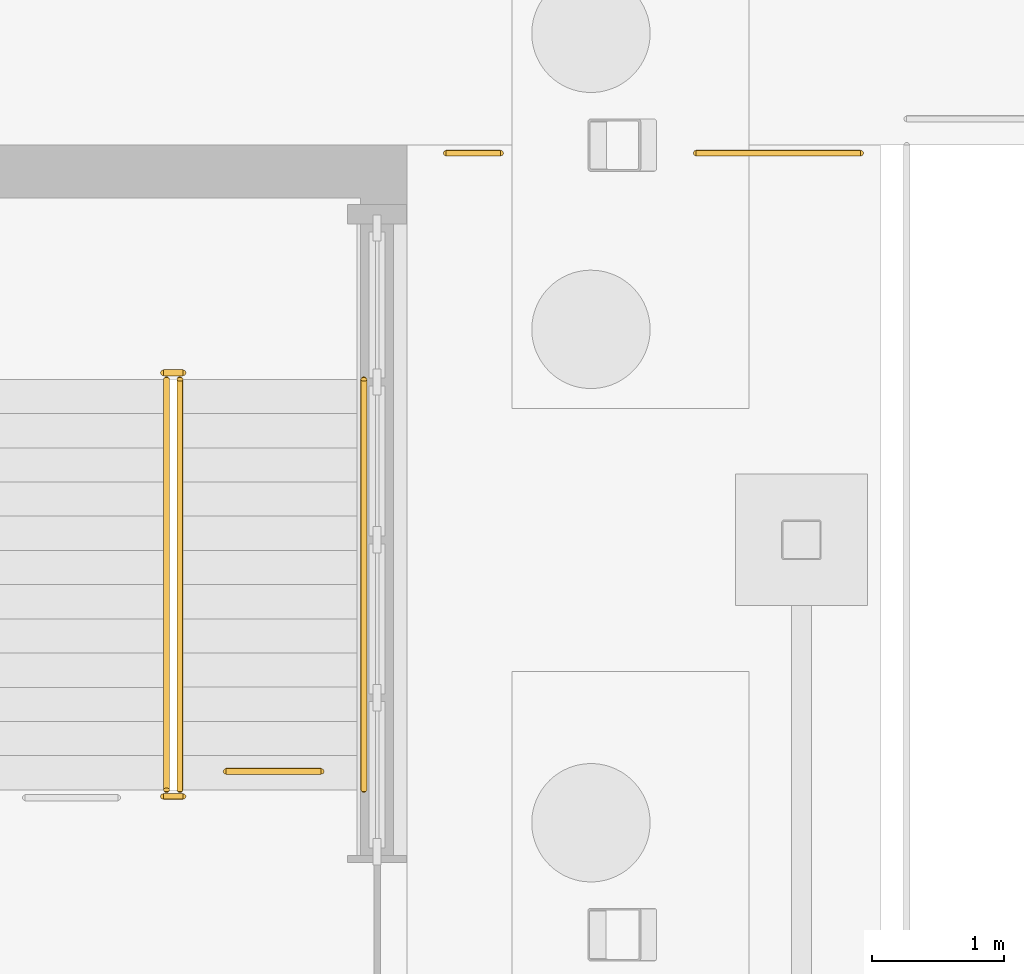
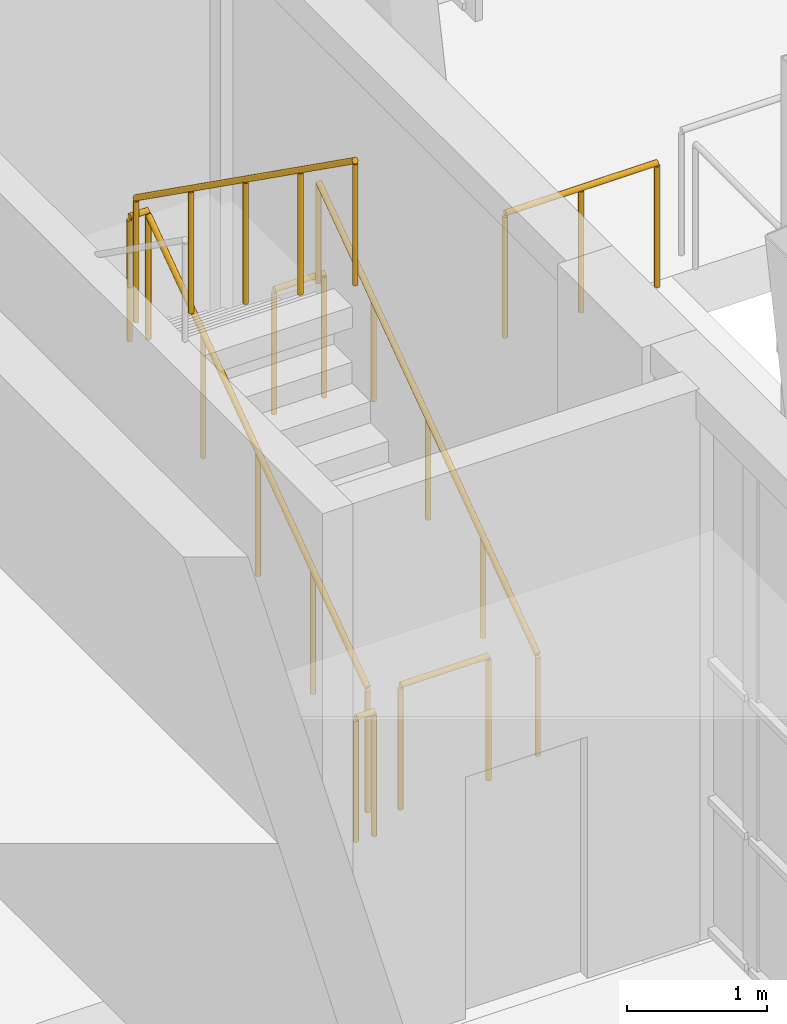
# One storey, part 122 of 144: 8 railings.
"""IFC4 building model written with IfcOpenShell, lengths in metres."""

from ifc_helpers import new_model, si_unit, direction, frame, origin, origin_2d, place, context, subcontext, project, spatial, circle, extrude, material, type_object, element, save


model = new_model("IFC4")

# Units and contexts
model_context = context("Model", 3, precision=1e-05, world=origin(), true_north=direction((0.0, 1.0)))
body_context = subcontext(model_context, "Body", "Model", "MODEL_VIEW")
ifc_project = project(units=[si_unit("LENGTHUNIT", "METRE"), si_unit("AREAUNIT", "SQUARE_METRE"), si_unit("VOLUMEUNIT", "CUBIC_METRE"), si_unit("PLANEANGLEUNIT", "RADIAN"), si_unit("MASSUNIT", "GRAM", prefix="KILO")], contexts=[model_context])

# Site, building, storey
site_placement = place(None, origin())
site = spatial("IfcSite", under=ifc_project, at=site_placement, CompositionType="ELEMENT")
building_placement = place(site_placement, origin())
building = spatial("IfcBuilding", under=site, at=building_placement, Name="Lantern Court Media Centre", CompositionType="ELEMENT")
storey_placement = place(building_placement, origin())
storey = spatial("IfcBuildingStorey", under=building, at=storey_placement, Name="L00", CompositionType="ELEMENT", Elevation=0.0)

# Railings
ifc_material = material(Name="Powder-coated steel", Category="steel")
railing_type_1 = type_object("IfcRailingType", Name="Floor edge guard 1100", PredefinedType="GUARDRAIL", material=ifc_material)
railing_1_placement = place(storey_placement, frame((30.6259765625, 35.240478515625, 0.0)))
element("IfcRailing", 1, at=railing_1_placement, inside=storey, type_object=railing_type_1, Name="L00 opening guard 4", PredefinedType="GUARDRAIL", context=body_context, shape_type="SweptSolid", body=[
    extrude(circle(Radius=0.02392578125, at=origin_2d()), frame((0.0, 0.0, 1.076171875), z_axis=(1.0, 0.0, 0.0), x_axis=(0.0, 1.0, 0.0)), (0.0, 0.0, 1.0), 0.72412109375),
    extrude(circle(Radius=0.02099609375, at=origin_2d()), origin(), (0.0, 0.0, 1.0), 1.052001953125),
    extrude(circle(Radius=0.02099609375, at=origin_2d()), frame((0.72412109375, 0.0, 0.0)), (0.0, 0.0, 1.0), 1.052001953125),
])
railing_2_placement = place(storey_placement, frame((32.300048828125, 39.93994140625, 0.0)))
element("IfcRailing", 2, at=railing_2_placement, inside=storey, type_object=railing_type_1, Name="L00 opening guard 9", PredefinedType="GUARDRAIL", context=body_context, shape_type="SweptSolid", body=[
    extrude(circle(Radius=0.02392578125, at=origin_2d()), frame((0.0, 0.0, 1.076171875), z_axis=(1.0, 0.0, 0.0), x_axis=(0.0, 1.0, 0.0)), (0.0, 0.0, 1.0), 0.4130859375),
    extrude(circle(Radius=0.02099609375, at=origin_2d()), origin(), (0.0, 0.0, 1.0), 1.052001953125),
    extrude(circle(Radius=0.02099609375, at=origin_2d()), frame((0.4130859375, 0.0, 0.0)), (0.0, 0.0, 1.0), 1.052001953125),
])
railing_3_placement = place(storey_placement, frame((34.199951171875, 39.93994140625, 0.0)))
element("IfcRailing", 3, at=railing_3_placement, inside=storey, type_object=railing_type_1, Name="L00 opening guard 10", PredefinedType="GUARDRAIL", context=body_context, shape_type="SweptSolid", body=[
    extrude(circle(Radius=0.02392578125, at=origin_2d()), frame((0.0, 0.0, 1.076171875), z_axis=(1.0, 0.0, 0.0), x_axis=(0.0, 1.0, 0.0)), (0.0, 0.0, 1.0), 1.25),
    extrude(circle(Radius=0.02099609375, at=origin_2d()), origin(), (0.0, 0.0, 1.0), 1.052001953125),
    extrude(circle(Radius=0.02099609375, at=origin_2d()), frame((0.625, 0.0, 0.0)), (0.0, 0.0, 1.0), 1.052001953125),
    extrude(circle(Radius=0.02099609375, at=origin_2d()), frame((1.25, 0.0, 0.0)), (0.0, 0.0, 1.0), 1.052001953125),
])
railing_type_2 = type_object("IfcRailingType", Name="Stair guard 1100", PredefinedType="GUARDRAIL", material=ifc_material)
railing_4_placement = place(storey_placement, frame((30.27587890625, 35.10009765625, 0.1845703125)))
element("IfcRailing", 4, at=railing_4_placement, inside=storey, type_object=railing_type_2, Name="L00 ST-V1-ST-E stair guard 1", PredefinedType="GUARDRAIL", context=body_context, shape_type="SweptSolid", body=[
    extrude(circle(Radius=0.02392578125, at=origin_2d()), frame((0.0, 0.0, 1.076171875), z_axis=(0.0, 0.815355575968, 0.57896052088), x_axis=(-1.0, 0.0, 0.0)), (0.0, 0.0, 1.0), 3.826416015625),
    extrude(circle(Radius=0.02099609375, at=origin_2d()), origin(), (0.0, 0.0, 1.0), 1.052001953125),
    extrude(circle(Radius=0.02099609375, at=origin_2d()), frame((0.0, 0.780029296875, 0.5537109375)), (0.0, 0.0, 1.0), 1.052001953125),
    extrude(circle(Radius=0.02099609375, at=origin_2d()), frame((0.0, 1.56005859375, 1.107666015625)), (0.0, 0.0, 1.0), 1.052001953125),
    extrude(circle(Radius=0.02099609375, at=origin_2d()), frame((0.0, 2.33984375, 1.66162109375)), (0.0, 0.0, 1.0), 1.052001953125),
    extrude(circle(Radius=0.02099609375, at=origin_2d()), frame((0.0, 3.119873046875, 2.21533203125)), (0.0, 0.0, 1.0), 1.052001953125),
])
railing_5_placement = place(storey_placement, frame((30.300048828125, 38.27001953125, 2.39990234375)))
element("IfcRailing", 5, at=railing_5_placement, inside=storey, type_object=railing_type_2, Name="L00 ST-V1-ST-E stair guard 2", PredefinedType="GUARDRAIL", context=body_context, shape_type="SweptSolid", body=[
    extrude(circle(Radius=0.02392578125, at=origin_2d()), frame((0.0, 0.0, 1.076171875), z_axis=(-1.0, 0.0, 0.0), x_axis=(0.0, -1.0, 0.0)), (0.0, 0.0, 1.0), 0.150146484375),
    extrude(circle(Radius=0.02099609375, at=origin_2d()), origin(), (0.0, 0.0, 1.0), 1.052001953125),
    extrude(circle(Radius=0.02099609375, at=origin_2d()), frame((-0.150146484375, 0.0, 0.0)), (0.0, 0.0, 1.0), 1.052001953125),
])
railing_6_placement = place(storey_placement, frame((30.174072265625, 38.219970703125, 2.584716796875)))
element("IfcRailing", 6, at=railing_6_placement, inside=storey, type_object=railing_type_2, Name="L00 ST-V1-ST-E stair guard 3", PredefinedType="GUARDRAIL", context=body_context, shape_type="SweptSolid", body=[
    extrude(circle(Radius=0.02392578125, at=origin_2d()), frame((0.0, 0.0, 1.076171875), z_axis=(0.0, -0.815355575968, 0.57896052088), x_axis=(1.0, 0.0, 0.0)), (0.0, 0.0, 1.0), 3.826416015625),
    extrude(circle(Radius=0.02099609375, at=origin_2d()), origin(), (0.0, 0.0, 1.0), 1.052001953125),
    extrude(circle(Radius=0.02099609375, at=origin_2d()), frame((0.0, -0.780029296875, 0.5537109375)), (0.0, 0.0, 1.0), 1.052001953125),
    extrude(circle(Radius=0.02099609375, at=origin_2d()), frame((0.0, -1.56005859375, 1.107666015625)), (0.0, 0.0, 1.0), 1.052001953125),
    extrude(circle(Radius=0.02099609375, at=origin_2d()), frame((0.0, -2.33984375, 1.66162109375)), (0.0, 0.0, 1.0), 1.052001953125),
    extrude(circle(Radius=0.02099609375, at=origin_2d()), frame((0.0, -3.119873046875, 2.21533203125)), (0.0, 0.0, 1.0), 1.052001953125),
])
railing_7_placement = place(storey_placement, frame((30.300048828125, 35.050048828125, 0.0)))
element("IfcRailing", 7, at=railing_7_placement, inside=storey, type_object=railing_type_2, Name="L00 ST-V1-ST-E stair guard 4", PredefinedType="GUARDRAIL", context=body_context, shape_type="SweptSolid", body=[
    extrude(circle(Radius=0.02392578125, at=origin_2d()), frame((0.0, 0.0, 1.076171875), z_axis=(-1.0, 0.0, 0.0), x_axis=(0.0, -1.0, 0.0)), (0.0, 0.0, 1.0), 0.150146484375),
    extrude(circle(Radius=0.02099609375, at=origin_2d()), origin(), (0.0, 0.0, 1.0), 1.052001953125),
    extrude(circle(Radius=0.02099609375, at=origin_2d()), frame((-0.150146484375, 0.0, 0.0)), (0.0, 0.0, 1.0), 1.052001953125),
])
railing_type_3 = type_object("IfcRailingType", Name="Stair handrail 900", PredefinedType="HANDRAIL", material=ifc_material)
railing_8_placement = place(storey_placement, frame((31.674072265625, 35.10009765625, 0.1845703125)))
element("IfcRailing", 8, at=railing_8_placement, inside=storey, type_object=railing_type_3, Name="L00 ST-V1-ST-E stair handrail 1", PredefinedType="HANDRAIL", context=body_context, shape_type="SweptSolid", body=[
    extrude(circle(Radius=0.02392578125, at=origin_2d()), frame((0.0, 0.0, 0.8759765625), z_axis=(0.0, 0.815355575968, 0.57896052088), x_axis=(-1.0, 0.0, 0.0)), (0.0, 0.0, 1.0), 3.826416015625),
    extrude(circle(Radius=0.02099609375, at=origin_2d()), origin(), (0.0, 0.0, 1.0), 0.851806640625),
    extrude(circle(Radius=0.02099609375, at=origin_2d()), frame((0.0, 0.780029296875, 0.5537109375)), (0.0, 0.0, 1.0), 0.851806640625),
    extrude(circle(Radius=0.02099609375, at=origin_2d()), frame((0.0, 1.56005859375, 1.107666015625)), (0.0, 0.0, 1.0), 0.851806640625),
    extrude(circle(Radius=0.02099609375, at=origin_2d()), frame((0.0, 2.33984375, 1.66162109375)), (0.0, 0.0, 1.0), 0.851806640625),
    extrude(circle(Radius=0.02099609375, at=origin_2d()), frame((0.0, 3.119873046875, 2.21533203125)), (0.0, 0.0, 1.0), 0.851806640625),
])

save(model, "model.ifc")
